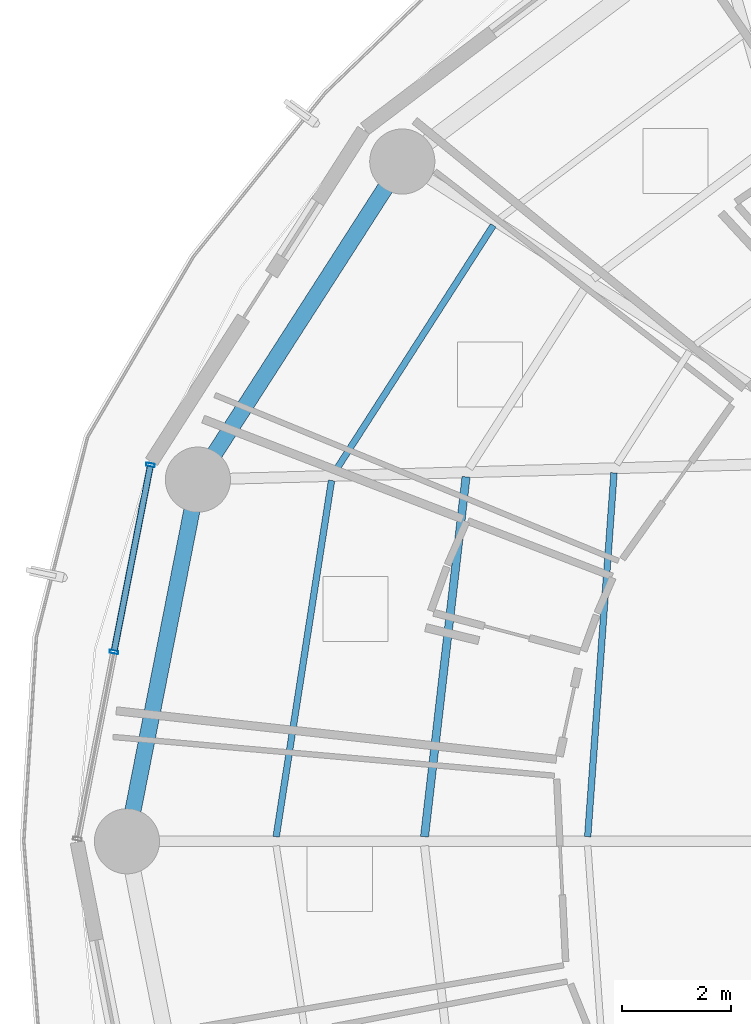
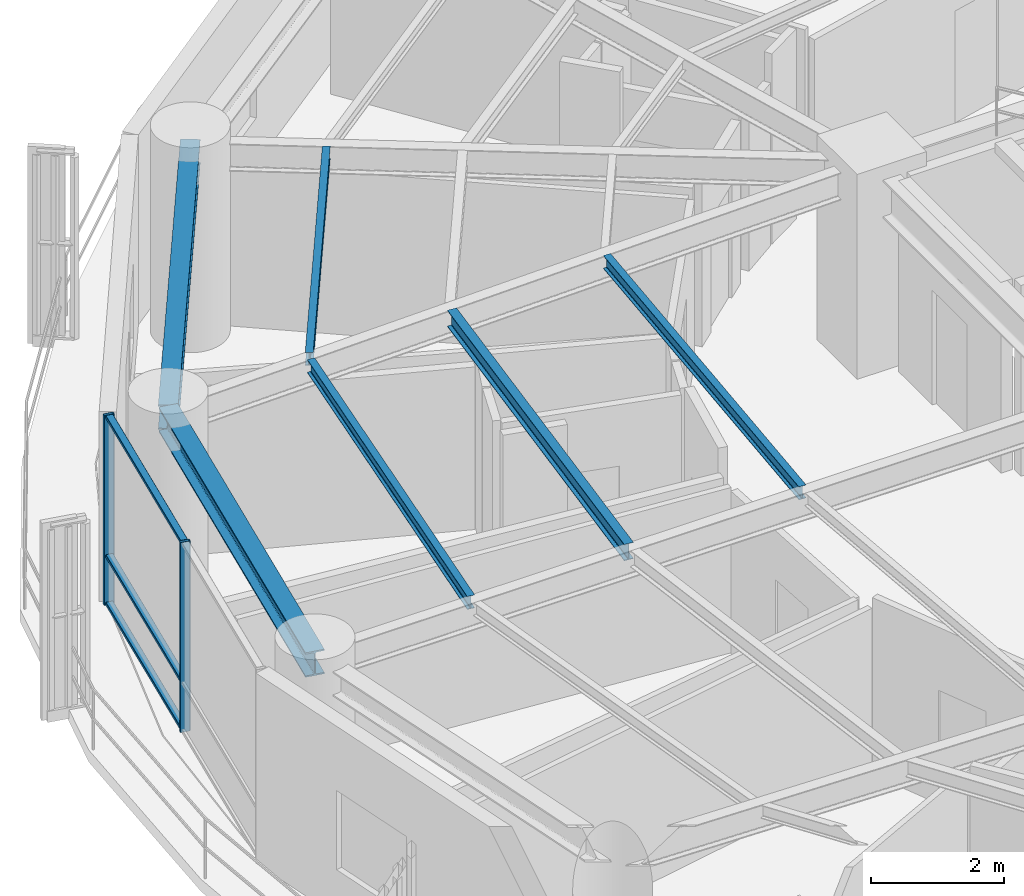
# One storey, part 8 of 28: 6 beams, 5 members, 1 element without a shape of its own.
"""IFC4 building model written with IfcOpenShell, lengths in metres."""

from ifc_helpers import new_model, si_unit, direction, frame, origin, origin_2d, place, context, subcontext, project, spatial, hollow_rectangle, i_section, extrude, material, layer, layer_set, material_profile, profile_set, type_object, element, aggregate, save


model = new_model("IFC4")

# Units and contexts
model_context = context("Model", 3, precision=1e-05, world=origin(), true_north=direction((0.0, 1.0)))
body_context = subcontext(model_context, "Body", "Model", "MODEL_VIEW")
ifc_project = project(units=[si_unit("LENGTHUNIT", "METRE"), si_unit("AREAUNIT", "SQUARE_METRE"), si_unit("VOLUMEUNIT", "CUBIC_METRE"), si_unit("PLANEANGLEUNIT", "RADIAN"), si_unit("MASSUNIT", "GRAM", prefix="KILO")], contexts=[model_context])

# Site, building, storey
site_placement = place(None, origin())
site = spatial("IfcSite", under=ifc_project, at=site_placement, CompositionType="ELEMENT")
building_placement = place(site_placement, origin())
building = spatial("IfcBuilding", under=site, at=building_placement, Name="Kelanora Arch Commons", CompositionType="ELEMENT")
storey_placement = place(building_placement, frame((0.0, 0.0, 158.10009765625)))
storey = spatial("IfcBuildingStorey", under=building, at=storey_placement, Name="L40", CompositionType="ELEMENT", Elevation=158.10009765625)

# Beams
ifc_material_1 = material(Name="Steel S355", Category="steel")
ifc_material_profile_1 = material_profile(ifc_material_1, i_section(OverallWidth=0.14990234375, OverallDepth=0.300048828125, WebThickness=0.007080078125, FlangeThickness=0.0107421875, FilletRadius=0.014892578125, at=origin_2d()), Name="IPE300")
ifc_profile_set_1 = profile_set([ifc_material_profile_1], Name="Steel S355")
beam_type_1 = type_object("IfcBeamType", Name="BM-JST-01", PredefinedType="JOIST", material=ifc_profile_set_1)
beam_1_placement = place(storey_placement, frame((58.56689453125, 64.713134765625, 3.33984375), z_axis=(-0.114667159005, -0.9934039675, 0.0), x_axis=(0.9934039675, -0.114667159005, 0.0)))
element("IfcBeam", 1, at=beam_1_placement, inside=storey, type_object=beam_type_1, Name="Secondary Chord Joist BJB-16 L40", PredefinedType="JOIST", context=body_context, shape_type="SweptSolid", body=[
    extrude(i_section(OverallWidth=0.14990234375, OverallDepth=0.300048828125, WebThickness=0.007080078125, FlangeThickness=0.0107421875, FilletRadius=0.014892578125, at=origin_2d()), origin(), (0.0, 0.0, 1.0), 6.672607421875),
])
ifc_material_profile_2 = material_profile(ifc_material_1, i_section(OverallWidth=0.1201171875, OverallDepth=0.239990234375, WebThickness=0.006103515625, FlangeThickness=0.009765625, FilletRadius=0.014892578125, at=origin_2d()), Name="IPE240")
ifc_profile_set_2 = profile_set([ifc_material_profile_2], Name="Steel S355")
beam_type_2 = type_object("IfcBeamType", Name="BM-JST-02", PredefinedType="JOIST", material=ifc_profile_set_2)
beam_2_placement = place(storey_placement, frame((59.06787109375, 69.345703125, 3.369873046875), z_axis=(-0.540581678156, -0.841291536414, 0.0), x_axis=(0.841291536414, -0.540581678156, 0.0)))
element("IfcBeam", 2, at=beam_2_placement, inside=storey, type_object=beam_type_2, Name="Secondary Chord Joist BJC-14 L40", PredefinedType="JOIST", context=body_context, shape_type="SweptSolid", body=[
    extrude(i_section(OverallWidth=0.1201171875, OverallDepth=0.239990234375, WebThickness=0.006103515625, FlangeThickness=0.009765625, FilletRadius=0.014892578125, at=origin_2d()), origin(), (0.0, 0.0, 1.0), 5.4013671875),
])
beam_3_placement = place(storey_placement, frame((61.292236328125, 64.787109375, 3.369873046875), z_axis=(-0.072117123738, -0.997396170267, 0.0), x_axis=(0.997396170267, -0.072117123738, 0.0)))
element("IfcBeam", 3, at=beam_3_placement, inside=storey, type_object=beam_type_2, Name="Secondary Chord Joist BJA-16 L40", PredefinedType="JOIST", context=body_context, shape_type="SweptSolid", body=[
    extrude(i_section(OverallWidth=0.1201171875, OverallDepth=0.239990234375, WebThickness=0.006103515625, FlangeThickness=0.009765625, FilletRadius=0.014892578125, at=origin_2d()), origin(), (0.0, 0.0, 1.0), 6.719970703125),
])
beam_4_placement = place(storey_placement, frame((56.0888671875, 64.64599609375, 3.369873046875), z_axis=(-0.153562625853, -0.988138917329, 0.0), x_axis=(0.988138917329, -0.153562625853, 0.0)))
element("IfcBeam", 4, at=beam_4_placement, inside=storey, type_object=beam_type_2, Name="Secondary Chord Joist BJC-16 L40", PredefinedType="JOIST", context=body_context, shape_type="SweptSolid", body=[
    extrude(i_section(OverallWidth=0.1201171875, OverallDepth=0.239990234375, WebThickness=0.006103515625, FlangeThickness=0.009765625, FilletRadius=0.014892578125, at=origin_2d()), origin(), (0.0, 0.0, 1.0), 6.640869140625),
])
ifc_material_profile_3 = material_profile(ifc_material_1, i_section(OverallWidth=0.300048828125, OverallDepth=0.449951171875, WebThickness=0.013916015625, FlangeThickness=0.02587890625, FilletRadius=0.027099609375, at=origin_2d()), Name="HEB450")
ifc_profile_set_3 = profile_set([ifc_material_profile_3], Name="Steel S355")
beam_type_3 = type_object("IfcBeamType", Name="BM-SPN-Z3", PredefinedType="SPANDREL", material=ifc_profile_set_3)
beam_5_placement = place(storey_placement, frame((57.39208984375, 70.521484375, 3.264892578125), z_axis=(-0.540576852469, -0.841294637196, 0.0), x_axis=(0.841294637196, -0.540576852469, 0.0)))
element("IfcBeam", 5, at=beam_5_placement, inside=storey, type_object=beam_type_3, Name="Perimeter Spandrel Beam BS-14 L40", PredefinedType="SPANDREL", context=body_context, shape_type="SweptSolid", body=[
    extrude(i_section(OverallWidth=0.300048828125, OverallDepth=0.449951171875, WebThickness=0.013916015625, FlangeThickness=0.02587890625, FilletRadius=0.027099609375, at=origin_2d()), origin(), (0.0, 0.0, 1.0), 6.964111328125),
])
beam_6_placement = place(storey_placement, frame((53.62744140625, 64.66259765625, 3.264892578125), z_axis=(-0.192553643556, -0.981286448675, 0.0), x_axis=(0.981286448675, -0.192553643556, 0.0)))
element("IfcBeam", 6, at=beam_6_placement, inside=storey, type_object=beam_type_3, Name="Perimeter Spandrel Beam BS-16 L40", PredefinedType="SPANDREL", context=body_context, shape_type="SweptSolid", body=[
    extrude(i_section(OverallWidth=0.300048828125, OverallDepth=0.449951171875, WebThickness=0.013916015625, FlangeThickness=0.02587890625, FilletRadius=0.027099609375, at=origin_2d()), origin(), (0.0, 0.0, 1.0), 6.78955078125),
])

# Curtain wall, members
ifc_material_2 = material(Name="Terracotta ceramic-fritted low-E glass and aluminium", Category="masonry")
ifc_layer = layer(ifc_material_2, 0.175048828125)
ifc_layer_set = layer_set([ifc_layer], Name="Terracotta ceramic-fritted low-E glass and aluminium")
curtain_wall_type = type_object("IfcCurtainWallType", Name="CW-SYS-02", PredefinedType="NOTDEFINED", material=ifc_layer_set)
curtain_wall_placement = place(storey_placement, origin())
curtain_wall = element("IfcCurtainWall", 7, at=curtain_wall_placement, inside=storey, type_object=curtain_wall_type, Name="Unitised Curtain Wall L40-B08", PredefinedType="NOTDEFINED")
ifc_material_3 = material(Name="Powder-coated aluminium terracotta", Category="masonry")
ifc_material_profile_4 = material_profile(ifc_material_3, hollow_rectangle(XDim=0.159912109375, YDim=0.06005859375, WallThickness=0.0048828125, InnerFilletRadius=0.0048828125, OuterFilletRadius=0.010009765625, at=origin_2d()), Name="CWM160x60")
ifc_profile_set_4 = profile_set([ifc_material_profile_4], Name="Powder-coated aluminium terracotta")
member_type_1 = type_object("IfcMemberType", Name="CWM-STD", PredefinedType="MULLION", material=ifc_profile_set_4)
member_1_placement = place(storey_placement, frame((52.754150390625, 64.93310546875, 0.0), z_axis=(0.0, 0.0, 1.0), x_axis=(0.981452557718, -0.191705182375, 0.0)))
member_1 = element("IfcMember", 8, at=member_1_placement, type_object=member_type_1, Name="CW-02 mullion 1", PredefinedType="MULLION", context=body_context, shape_type="SweptSolid", body=[
    extrude(hollow_rectangle(XDim=0.159912109375, YDim=0.06005859375, WallThickness=0.0048828125, InnerFilletRadius=0.0048828125, OuterFilletRadius=0.010009765625, at=origin_2d()), origin(), (0.0, 0.0, 1.0), 3.474853515625),
])
member_2_placement = place(storey_placement, frame((52.08154296875, 61.488525390625, 0.0), z_axis=(0.0, 0.0, 1.0), x_axis=(0.981452557718, -0.191705182375, 0.0)))
member_2 = element("IfcMember", 9, at=member_2_placement, type_object=member_type_1, Name="CW-02 mullion 2", PredefinedType="MULLION", context=body_context, shape_type="SweptSolid", body=[
    extrude(hollow_rectangle(XDim=0.159912109375, YDim=0.06005859375, WallThickness=0.0048828125, InnerFilletRadius=0.0048828125, OuterFilletRadius=0.010009765625, at=origin_2d()), origin(), (0.0, 0.0, 1.0), 3.474853515625),
])
ifc_material_profile_5 = material_profile(ifc_material_3, hollow_rectangle(XDim=0.1201171875, YDim=0.06005859375, WallThickness=0.0048828125, InnerFilletRadius=0.0048828125, OuterFilletRadius=0.010009765625, at=origin_2d()), Name="CWT120x60")
ifc_profile_set_5 = profile_set([ifc_material_profile_5], Name="Powder-coated aluminium terracotta")
member_type_2 = type_object("IfcMemberType", Name="CWT-STD", PredefinedType="USERDEFINED", material=ifc_profile_set_5)
member_3_placement = place(storey_placement, frame((52.74853515625, 64.903564453125, 0.02978515625), z_axis=(-0.191731523726, -0.981447412147, 0.0), x_axis=(0.981447412147, -0.191731523726, 0.0)))
member_3 = element("IfcMember", 10, at=member_3_placement, type_object=member_type_2, Name="CW-02 transom 1.1", ObjectType="TRANSOM", PredefinedType="USERDEFINED", context=body_context, shape_type="SweptSolid", body=[
    extrude(hollow_rectangle(XDim=0.1201171875, YDim=0.06005859375, WallThickness=0.0048828125, InnerFilletRadius=0.0048828125, OuterFilletRadius=0.010009765625, at=origin_2d()), origin(), (0.0, 0.0, 1.0), 3.449462890625),
])
member_4_placement = place(storey_placement, frame((52.74853515625, 64.903564453125, 0.89990234375), z_axis=(-0.191731523726, -0.981447412147, 0.0), x_axis=(0.981447412147, -0.191731523726, 0.0)))
member_4 = element("IfcMember", 11, at=member_4_placement, type_object=member_type_2, Name="CW-02 transom 1.2", ObjectType="TRANSOM", PredefinedType="USERDEFINED", context=body_context, shape_type="SweptSolid", body=[
    extrude(hollow_rectangle(XDim=0.1201171875, YDim=0.06005859375, WallThickness=0.0048828125, InnerFilletRadius=0.0048828125, OuterFilletRadius=0.010009765625, at=origin_2d()), origin(), (0.0, 0.0, 1.0), 3.449462890625),
])
member_5_placement = place(storey_placement, frame((52.74853515625, 64.903564453125, 3.44482421875), z_axis=(-0.191731523726, -0.981447412147, 0.0), x_axis=(0.981447412147, -0.191731523726, 0.0)))
member_5 = element("IfcMember", 12, at=member_5_placement, type_object=member_type_2, Name="CW-02 transom 1.3", ObjectType="TRANSOM", PredefinedType="USERDEFINED", context=body_context, shape_type="SweptSolid", body=[
    extrude(hollow_rectangle(XDim=0.1201171875, YDim=0.06005859375, WallThickness=0.0048828125, InnerFilletRadius=0.0048828125, OuterFilletRadius=0.010009765625, at=origin_2d()), origin(), (0.0, 0.0, 1.0), 3.449462890625),
])
aggregate(curtain_wall, [member_1, member_2, member_3, member_4, member_5])

save(model, "model.ifc")
